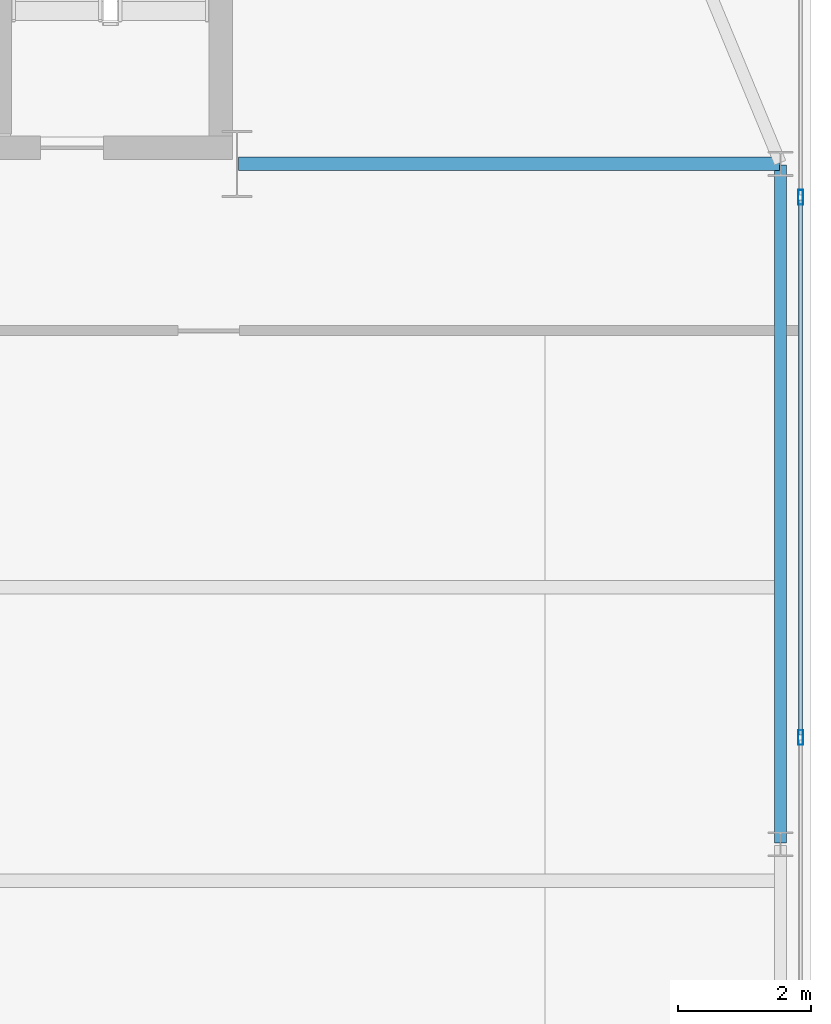
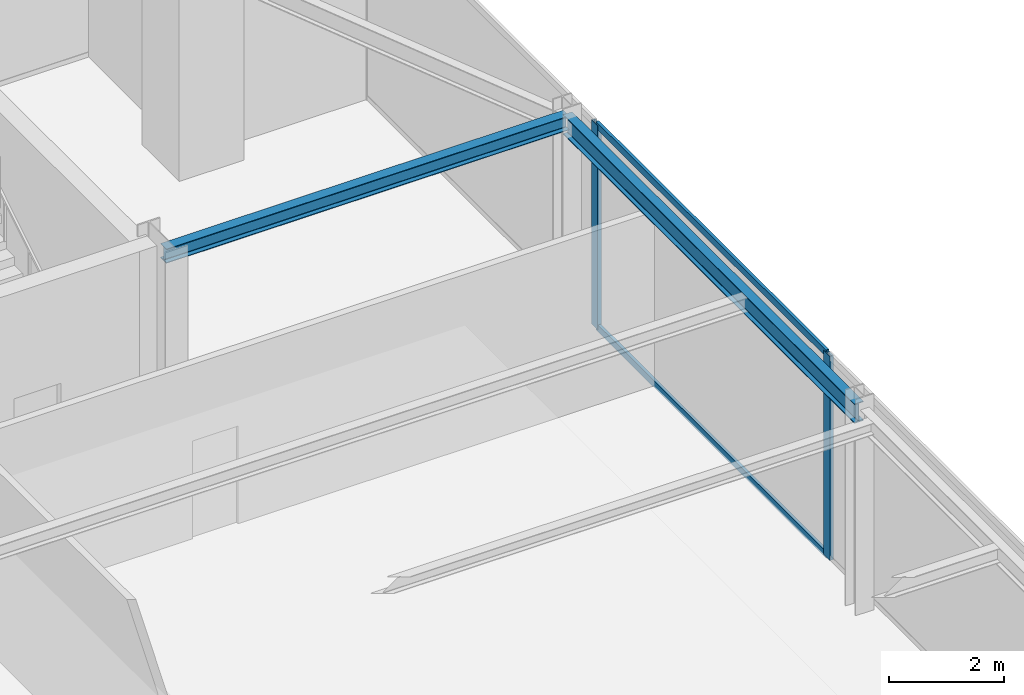
# One storey, part 17 of 25: 4 members, 2 beams, 1 element without a shape of its own.
"""IFC4 building model written with IfcOpenShell, lengths in metres."""

from ifc_helpers import new_model, si_unit, direction, frame, origin, origin_2d, place, context, subcontext, project, spatial, hollow_rectangle, i_section, extrude, source, transform, mapped, material, layer, layer_set, material_profile, profile_set, type_object, type_shapes, element, aggregate, save


model = new_model("IFC4")

# Units and contexts
model_context = context("Model", 3, precision=1e-05, world=origin(), true_north=direction((0.0, 1.0)))
body_context = subcontext(model_context, "Body", "Model", "MODEL_VIEW")
ifc_project = project(units=[si_unit("LENGTHUNIT", "METRE"), si_unit("AREAUNIT", "SQUARE_METRE"), si_unit("VOLUMEUNIT", "CUBIC_METRE"), si_unit("PLANEANGLEUNIT", "RADIAN"), si_unit("MASSUNIT", "GRAM", prefix="KILO")], contexts=[model_context])

# Site, building, storey
site_placement = place(None, origin())
site = spatial("IfcSite", under=ifc_project, at=site_placement, CompositionType="ELEMENT")
building_placement = place(site_placement, origin())
building = spatial("IfcBuilding", under=site, at=building_placement, Name="Varnel Quay Broadcast Tower", CompositionType="ELEMENT")
storey_placement = place(building_placement, frame((0.0, 0.0, 191.39990234375)))
storey = spatial("IfcBuildingStorey", under=building, at=storey_placement, Name="L47", CompositionType="ELEMENT", Elevation=191.39990234375)

# Beams
ifc_material_1 = material(Name="Structural Steel CSA G40.21 350W", Category="steel")
ifc_material_profile_1 = material_profile(ifc_material_1, i_section(OverallWidth=0.180908203125, OverallDepth=0.4169921875, WebThickness=0.010986328125, FlangeThickness=0.018310546875, FilletRadius=0.011962890625, at=origin_2d()), Name="W410X85")
ifc_profile_set_1 = profile_set([ifc_material_profile_1], Name="Structural Steel CSA G40.21 350W")
beam_type_1 = type_object("IfcBeamType", Name="Beam_W410X85", PredefinedType="SPANDREL", material=ifc_profile_set_1)
shared_shape_1 = source(origin(), body_context, "Body", "SweptSolid", [
    extrude(i_section(OverallWidth=0.180908203125, OverallDepth=0.4169921875, WebThickness=0.010986328125, FlangeThickness=0.018310546875, FilletRadius=0.011962890625, at=origin_2d()), origin(), (0.0, 0.0, 1.0), 10.16015625),
])
type_shapes(beam_type_1, [shared_shape_1])
beam_1_placement = place(storey_placement, frame((60.550048828125, 25.419921875, 4.1416015625), z_axis=(0.0, 1.0, 0.0), x_axis=(-1.0, 0.0, 0.0)))
element("IfcBeam", 1, at=beam_1_placement, inside=storey, type_object=beam_type_1, Name="L47 East Spandrel TC-E2-TC-E3", PredefinedType="SPANDREL", context=body_context, shape_type="MappedRepresentation", body=[
    mapped(shared_shape_1, transform((0.0, 0.0, 0.0), x_axis=(1.0, 0.0, 0.0), y_axis=(0.0, 1.0, 0.0), z_axis=(0.0, 0.0, 1.0), scale=1.0)),
])
ifc_material_profile_2 = material_profile(ifc_material_1, i_section(OverallWidth=0.202880859375, OverallDepth=0.302978515625, WebThickness=0.007568359375, FlangeThickness=0.01318359375, FilletRadius=0.011962890625, at=origin_2d()), Name="W310X60")
ifc_profile_set_2 = profile_set([ifc_material_profile_2], Name="Structural Steel CSA G40.21 350W")
beam_type_2 = type_object("IfcBeamType", Name="Beam_W310X60", PredefinedType="JOIST", material=ifc_profile_set_2)
shared_shape_2 = source(origin(), body_context, "Body", "SweptSolid", [
    extrude(i_section(OverallWidth=0.202880859375, OverallDepth=0.302978515625, WebThickness=0.007568359375, FlangeThickness=0.01318359375, FilletRadius=0.011962890625, at=origin_2d()), origin(), (0.0, 0.0, 1.0), 8.110107421875),
])
type_shapes(beam_type_2, [shared_shape_2])
beam_2_placement = place(storey_placement, frame((52.419921875, 35.60009765625, 4.198486328125), z_axis=(1.0, 0.0, 0.0), x_axis=(0.0, 1.0, 0.0)))
element("IfcBeam", 2, at=beam_2_placement, inside=storey, type_object=beam_type_2, Name="L47 East Core Tie Joist", PredefinedType="JOIST", context=body_context, shape_type="MappedRepresentation", body=[
    mapped(shared_shape_2, transform((0.0, 0.0, 0.0), x_axis=(1.0, 0.0, 0.0), y_axis=(0.0, 1.0, 0.0), z_axis=(0.0, 0.0, 1.0), scale=1.0)),
])

# Curtain wall, members
ifc_material_2 = material(Name="Anodised Bronze Aluminium 6063-T6", Category="aluminium")
ifc_layer = layer(ifc_material_2, 0.18994140625, Name="Anodised Bronze Aluminium 6063-T6")
ifc_layer_set = layer_set([ifc_layer], Name="Anodised Bronze Aluminium 6063-T6")
curtain_wall_type = type_object("IfcCurtainWallType", Name="CW_SkyObsHighVis", PredefinedType="NOTDEFINED", material=ifc_layer_set)
curtain_wall_placement = place(storey_placement, origin())
curtain_wall = element("IfcCurtainWall", 3, at=curtain_wall_placement, inside=storey, type_object=curtain_wall_type, Name="L47 East Unitised Curtain Wall", PredefinedType="NOTDEFINED")
ifc_material_profile_3 = material_profile(ifc_material_2, hollow_rectangle(XDim=0.074951171875, YDim=0.219970703125, WallThickness=0.00390625, at=origin_2d()), Name="ALU75X220X4")
ifc_profile_set_3 = profile_set([ifc_material_profile_3], Name="Anodised Bronze Aluminium 6063-T6")
member_type_1 = type_object("IfcMemberType", Name="Mull_CWS-05", PredefinedType="MULLION", material=ifc_profile_set_3)
shared_shape_3 = source(origin(), body_context, "Body", "SweptSolid", [
    extrude(hollow_rectangle(XDim=0.074951171875, YDim=0.219970703125, WallThickness=0.00390625, at=origin_2d()), origin(), (0.0, 0.0, 1.0), 4.35009765625),
])
type_shapes(member_type_1, [shared_shape_3])
member_1_placement = place(storey_placement, frame((60.85009765625, 27.0, 0.0), z_axis=(0.0, 0.0, 1.0), x_axis=(-1.0, 0.0, 0.0)))
member_1 = element("IfcMember", 4, at=member_1_placement, type_object=member_type_1, Name="CWS-05 mullion 3", PredefinedType="MULLION", context=body_context, shape_type="MappedRepresentation", body=[
    mapped(shared_shape_3, transform((0.0, 0.0, 0.0), x_axis=(1.0, 0.0, 0.0), y_axis=(0.0, 1.0, 0.0), z_axis=(0.0, 0.0, 1.0), scale=1.0)),
])
member_2_placement = place(storey_placement, frame((60.85009765625, 35.10009765625, 0.0), z_axis=(0.0, 0.0, 1.0), x_axis=(-1.0, 0.0, 0.0)))
member_2 = element("IfcMember", 5, at=member_2_placement, type_object=member_type_1, Name="CWS-05 mullion 4", PredefinedType="MULLION", context=body_context, shape_type="MappedRepresentation", body=[
    mapped(shared_shape_3, transform((0.0, 0.0, 0.0), x_axis=(1.0, 0.0, 0.0), y_axis=(0.0, 1.0, 0.0), z_axis=(0.0, 0.0, 1.0), scale=1.0)),
])
ifc_material_profile_4 = material_profile(ifc_material_2, hollow_rectangle(XDim=0.06005859375, YDim=0.14501953125, WallThickness=0.00341796875, at=origin_2d()), Name="ALU60X145X3.5")
ifc_profile_set_4 = profile_set([ifc_material_profile_4], Name="Anodised Bronze Aluminium 6063-T6")
member_type_2 = type_object("IfcMemberType", Name="Tran_CWS-05", PredefinedType="USERDEFINED", material=ifc_profile_set_4)
shared_shape_4 = source(origin(), body_context, "Body", "SweptSolid", [
    extrude(hollow_rectangle(XDim=0.06005859375, YDim=0.14501953125, WallThickness=0.00341796875, at=origin_2d()), origin(), (0.0, 0.0, 1.0), 8.02490234375),
])
type_shapes(member_type_2, [shared_shape_4])
member_3_placement = place(storey_placement, frame((60.85009765625, 27.03759765625, 0.030029296875), z_axis=(0.0, 1.0, 0.0), x_axis=(-1.0, 0.0, 0.0)))
member_3 = element("IfcMember", 6, at=member_3_placement, type_object=member_type_2, Name="CWS-05 transom 3.1", ObjectType="TRANSOM", PredefinedType="USERDEFINED", context=body_context, shape_type="MappedRepresentation", body=[
    mapped(shared_shape_4, transform((0.0, 0.0, 0.0), x_axis=(1.0, 0.0, 0.0), y_axis=(0.0, 1.0, 0.0), z_axis=(0.0, 0.0, 1.0), scale=1.0)),
])
member_4_placement = place(storey_placement, frame((60.85009765625, 27.03759765625, 4.320068359375), z_axis=(0.0, 1.0, 0.0), x_axis=(-1.0, 0.0, 0.0)))
member_4 = element("IfcMember", 7, at=member_4_placement, type_object=member_type_2, Name="CWS-05 transom 3.2", ObjectType="TRANSOM", PredefinedType="USERDEFINED", context=body_context, shape_type="MappedRepresentation", body=[
    mapped(shared_shape_4, transform((0.0, 0.0, 0.0), x_axis=(1.0, 0.0, 0.0), y_axis=(0.0, 1.0, 0.0), z_axis=(0.0, 0.0, 1.0), scale=1.0)),
])
aggregate(curtain_wall, [member_1, member_2, member_3, member_4])

save(model, "model.ifc")
